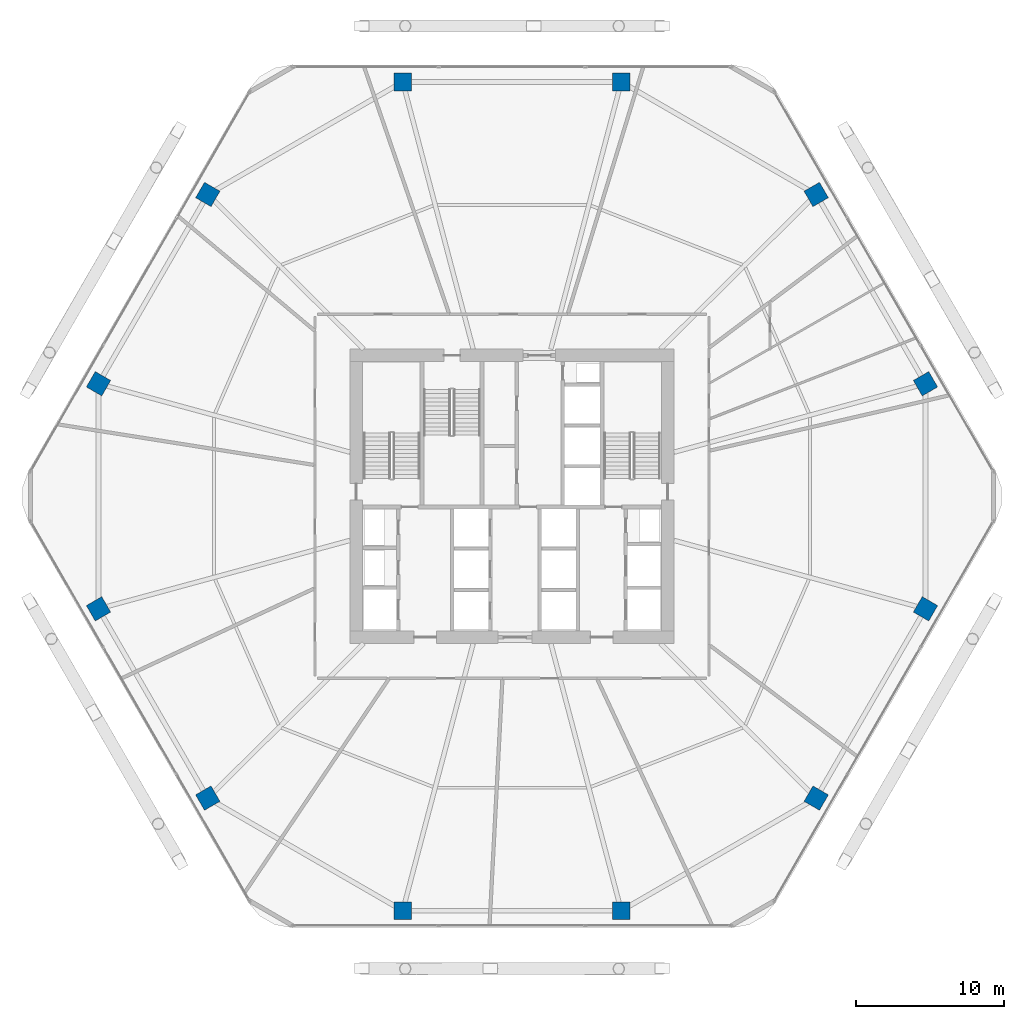
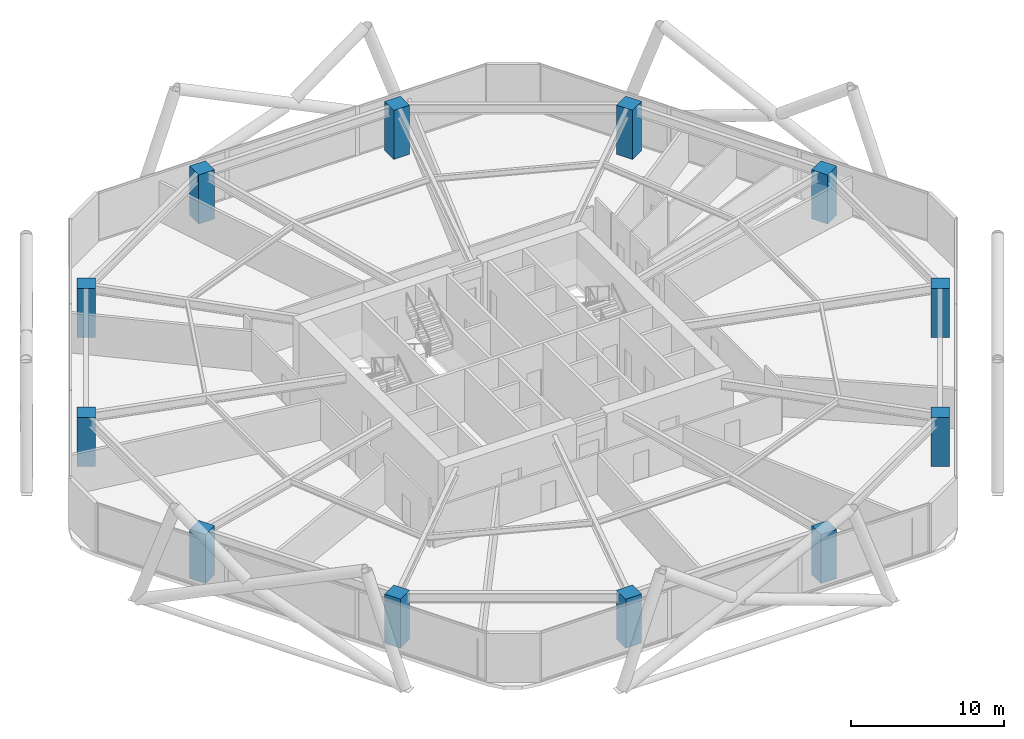
# One storey, part 1 of 29: 12 columns.
"""IFC4 building model written with IfcOpenShell, lengths in metres."""

from ifc_helpers import new_model, si_unit, direction, frame, origin, origin_2d, place, context, subcontext, project, spatial, rectangle, extrude, material, material_profile, profile_set, type_object, element, save


model = new_model("IFC4")

# Units and contexts
model_context = context("Model", 3, precision=1e-05, world=origin(), true_north=direction((0.0, 1.0)))
body_context = subcontext(model_context, "Body", "Model", "MODEL_VIEW")
ifc_project = project(units=[si_unit("LENGTHUNIT", "METRE"), si_unit("AREAUNIT", "SQUARE_METRE"), si_unit("VOLUMEUNIT", "CUBIC_METRE"), si_unit("PLANEANGLEUNIT", "RADIAN"), si_unit("MASSUNIT", "GRAM", prefix="KILO")], contexts=[model_context])

# Site, building, storey
site_placement = place(None, origin())
site = spatial("IfcSite", under=ifc_project, at=site_placement, CompositionType="ELEMENT")
building_placement = place(site_placement, origin())
building = spatial("IfcBuilding", under=site, at=building_placement, Name="Zuhravey Tower", CompositionType="ELEMENT")
storey_placement = place(building_placement, frame((0.0, 0.0, 41.39990234375)))
storey = spatial("IfcBuildingStorey", under=building, at=storey_placement, Name="L10", CompositionType="ELEMENT", Elevation=41.39990234375)

# Columns
ifc_material = material(Name="Concrete C60/75", Category="concrete")
ifc_material_profile = material_profile(ifc_material, rectangle(XDim=1.199951171875, YDim=1.199951171875, at=origin_2d()), Name="RC-1200x1200")
ifc_profile_set = profile_set([ifc_material_profile], Name="Concrete C60/75")
column_type = type_object("IfcColumnType", Name="Zone 1 Perimeter Column 1200x1200", PredefinedType="COLUMN", material=ifc_profile_set)
for number, where, z_axis, x_axis, name in (
    (1, (63.88916015625, 39.591552734375, 0.0), (0.0, 0.0, 1.0), (-0.5, 0.866025403784, 0.0), "L10 Perimeter Column PC01"),
    (2, (56.51904296875, 52.35693359375, 0.0), (0.0, 0.0, 1.0), (-0.5, 0.866025403784, 0.0), "L10 Perimeter Column PC02"),
    (3, (43.3701171875, 59.948486328125, 0.0), (0.0, 0.0, 1.0), (-1.0, 0.0, 0.0), "L10 Perimeter Column PC03"),
    (4, (28.6298828125, 59.948486328125, 0.0), (0.0, 0.0, 1.0), (-1.0, 0.0, 0.0), "L10 Perimeter Column PC04"),
    (5, (15.48095703125, 52.35693359375, 0.0), (0.0, 0.0, 1.0), (-0.5, -0.866025403784, 0.0), "L10 Perimeter Column PC05"),
    (6, (8.11083984375, 39.591552734375, 0.0), (0.0, 0.0, 1.0), (-0.5, -0.866025403784, 0.0), "L10 Perimeter Column PC06"),
    (7, (8.11083984375, 24.408447265625, 0.0), (0.0, 0.0, 1.0), (0.5, -0.866025403784, 0.0), "L10 Perimeter Column PC07"),
    (8, (15.48095703125, 11.64306640625, 0.0), (0.0, 0.0, 1.0), (0.5, -0.866025403784, 0.0), "L10 Perimeter Column PC08"),
    (9, (28.6298828125, 4.051513671875, 0.0), (0.0, 0.0, 1.0), (1.0, 0.0, 0.0), "L10 Perimeter Column PC09"),
    (10, (43.3701171875, 4.051513671875, 0.0), (0.0, 0.0, 1.0), (1.0, 0.0, 0.0), "L10 Perimeter Column PC10"),
    (11, (56.51904296875, 11.64306640625, 0.0), (0.0, 0.0, 1.0), (0.5, 0.866025403784, 0.0), "L10 Perimeter Column PC11"),
    (12, (63.88916015625, 24.408447265625, 0.0), (0.0, 0.0, 1.0), (0.5, 0.866025403784, 0.0), "L10 Perimeter Column PC12"),
):
    element("IfcColumn", number, at=place(storey_placement, frame(where, z_axis=z_axis, x_axis=x_axis)), inside=storey, type_object=column_type, Name=name, PredefinedType="COLUMN", context=body_context, shape_type="SweptSolid", body=[
        extrude(rectangle(XDim=1.199951171875, YDim=1.199951171875, at=origin_2d()), origin(), (0.0, 0.0, 1.0), 3.920166015625),
    ])

save(model, "model.ifc")
